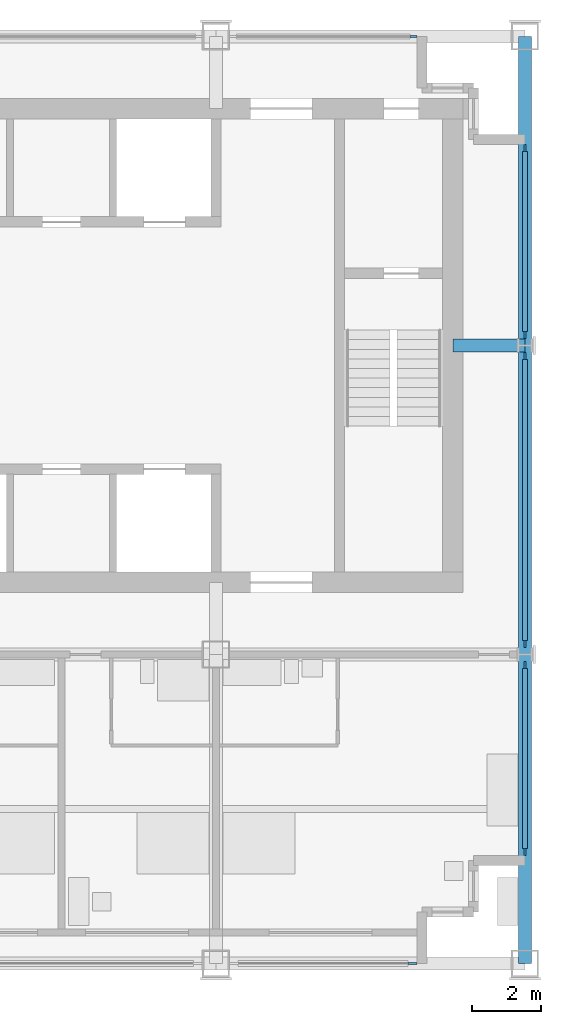
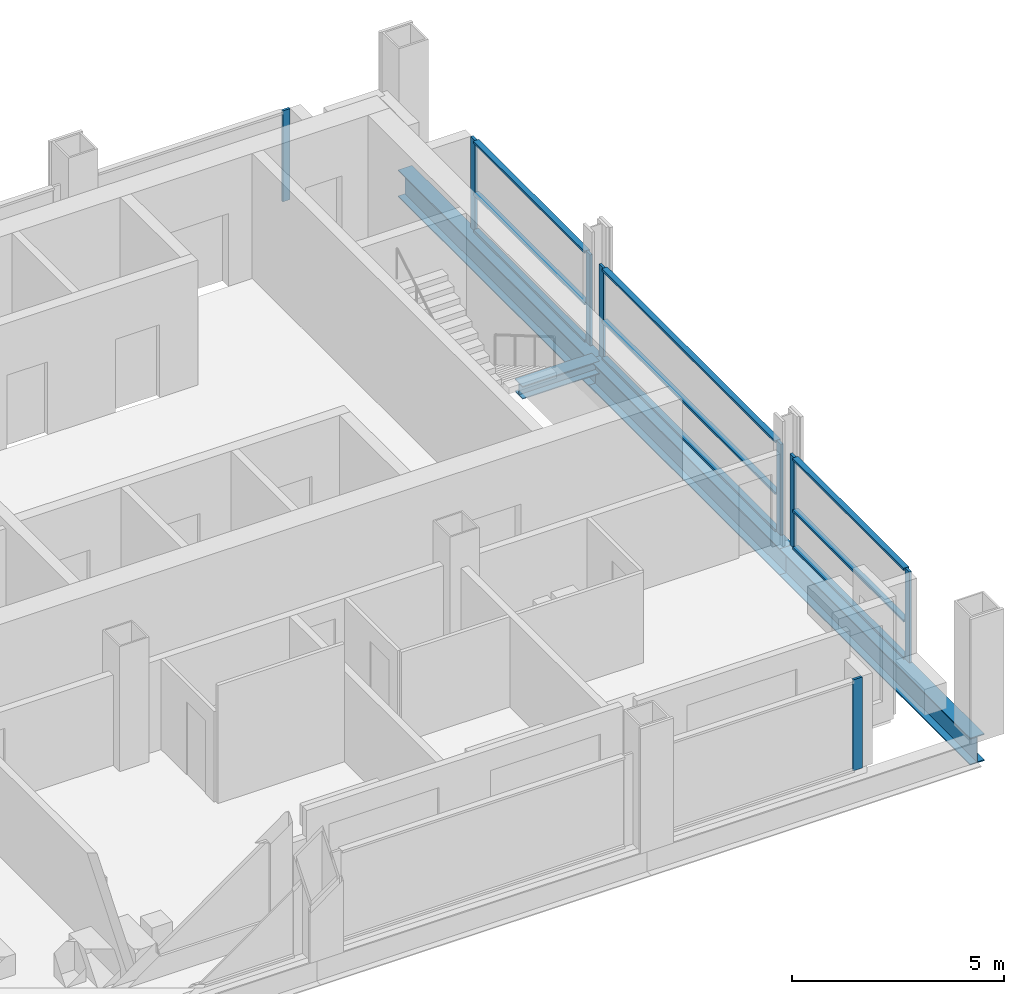
# One storey, part 4 of 12: 18 members, 3 beams, 5 elements without a shape of their own.
"""IFC4 building model written with IfcOpenShell, lengths in metres."""

from ifc_helpers import new_model, si_unit, direction, frame, origin, origin_2d, place, context, subcontext, project, spatial, rectangle, i_section, extrude, material, material_profile, profile_set, type_object, element, aggregate, save


model = new_model("IFC4")

# Units and contexts
model_context = context("Model", 3, precision=1e-05, world=origin(), true_north=direction((0.0, 1.0)))
body_context = subcontext(model_context, "Body", "Model", "MODEL_VIEW")
ifc_project = project(units=[si_unit("LENGTHUNIT", "METRE"), si_unit("AREAUNIT", "SQUARE_METRE"), si_unit("VOLUMEUNIT", "CUBIC_METRE"), si_unit("PLANEANGLEUNIT", "RADIAN"), si_unit("MASSUNIT", "GRAM", prefix="KILO")], contexts=[model_context])

# Site, building, storey
site_placement = place(None, origin())
site = spatial("IfcSite", under=ifc_project, at=site_placement, CompositionType="ELEMENT")
building_placement = place(site_placement, origin())
building = spatial("IfcBuilding", under=site, at=building_placement, Name="Loomwork Tower", CompositionType="ELEMENT")
storey_placement = place(building_placement, frame((0.0, 0.0, 237.39990234375)))
storey = spatial("IfcBuildingStorey", under=building, at=storey_placement, Name="L65", CompositionType="ELEMENT", Elevation=237.39990234375)

# Member
ifc_material_1 = material(Name="Steel ASTM A992", Category="steel")
ifc_material_profile_1 = material_profile(ifc_material_1, i_section(OverallWidth=0.373291015625, OverallDepth=0.373291015625, WebThickness=0.016357421875, FlangeThickness=0.026123046875, at=origin_2d()), Name="W14x132")
ifc_profile_set_1 = profile_set([ifc_material_profile_1], Name="Steel ASTM A992")
member_type_1 = type_object("IfcMemberType", Name="CORE LINK STRUT W14x132", PredefinedType="STRUT", material=ifc_profile_set_1)
member_1_placement = place(storey_placement, frame((36.0, 18.0, -0.386474609375), z_axis=(-1.0, 0.0, 0.0), x_axis=(0.0, -1.0, 0.0)))
element("IfcMember", 1, at=member_1_placement, inside=storey, type_object=member_type_1, Name="Core link strut F/6-33.900,18.000 L65", PredefinedType="STRUT", context=body_context, shape_type="SweptSolid", body=[
    extrude(i_section(OverallWidth=0.373291015625, OverallDepth=0.373291015625, WebThickness=0.016357421875, FlangeThickness=0.026123046875, at=origin_2d()), origin(), (0.0, 0.0, 1.0), 2.10009765625),
])

# Curtain wall, member
ifc_material_2 = material(Name="Aluminium curtain wall frame", Category="aluminium")
curtain_wall_type_1 = type_object("IfcCurtainWallType", Name="Outer skin glazing suites", PredefinedType="NOTDEFINED", material=ifc_material_2)
curtain_wall_1_placement = place(storey_placement, origin())
curtain_wall_1 = element("IfcCurtainWall", 2, at=curtain_wall_1_placement, inside=storey, type_object=curtain_wall_type_1, Name="Outer skin glazing suites cw/S-27", PredefinedType="NOTDEFINED")
ifc_material_3 = material(Name="Aluminium curtain wall frame", Category="aluminium")
ifc_material_profile_2 = material_profile(ifc_material_3, rectangle(XDim=0.06494140625, YDim=0.25, at=origin_2d()), Name="AL 65x250")
ifc_profile_set_2 = profile_set([ifc_material_profile_2], Name="Aluminium curtain wall frame")
member_type_2 = type_object("IfcMemberType", Name="Outer skin glazing suites mullion", PredefinedType="MULLION", material=ifc_profile_set_2)
member_2_placement = place(storey_placement, frame((32.72509765625, 0.0, 0.0), z_axis=(0.0, 0.0, 1.0), x_axis=(0.0, 1.0, 0.0)))
member_2 = element("IfcMember", 3, at=member_2_placement, type_object=member_type_2, Name="CW2 mullion 2", PredefinedType="MULLION", context=body_context, shape_type="SweptSolid", body=[
    extrude(rectangle(XDim=0.06494140625, YDim=0.25, at=origin_2d()), origin(), (0.0, 0.0, 1.0), 2.620361328125),
])
aggregate(curtain_wall_1, [member_2])

# Beams
ifc_material_4 = material(Name="Steel ASTM A992", Category="steel")
ifc_material_profile_3 = material_profile(ifc_material_4, i_section(OverallWidth=0.381103515625, OverallDepth=0.77978515625, WebThickness=0.01806640625, FlangeThickness=0.0302734375, at=origin_2d()), Name="W30x191")
ifc_profile_set_3 = profile_set([ifc_material_profile_3], Name="Steel ASTM A992")
beam_type = type_object("IfcBeamType", Name="SPANDREL GIRDER W30x191", PredefinedType="SPANDREL", material=ifc_profile_set_3)
for number, where, z_axis, x_axis, name in (
    (4, (36.0, 0.0, -0.58984375), (0.0, 1.0, 0.0), (-1.0, 0.0, 0.0), "Spandrel Girder D/6-E/6 L65"),
    (5, (36.0, 9.0, -0.58984375), (0.0, 1.0, 0.0), (-1.0, 0.0, 0.0), "Spandrel Girder E/6-F/6 L65"),
    (6, (36.0, 18.0, -0.58984375), (0.0, 1.0, 0.0), (-1.0, 0.0, 0.0), "Spandrel Girder F/6-G/6 L65"),
):
    element("IfcBeam", number, at=place(storey_placement, frame(where, z_axis=z_axis, x_axis=x_axis)), inside=storey, type_object=beam_type, Name=name, PredefinedType="SPANDREL", context=body_context, shape_type="SweptSolid", body=[
        extrude(i_section(OverallWidth=0.381103515625, OverallDepth=0.77978515625, WebThickness=0.01806640625, FlangeThickness=0.0302734375, at=origin_2d()), origin(), (0.0, 0.0, 1.0), 9.0),
    ])

# Curtain wall, member
ifc_material_5 = material(Name="Aluminium curtain wall frame", Category="aluminium")
curtain_wall_type_2 = type_object("IfcCurtainWallType", Name="Single skin glazing corridor", PredefinedType="NOTDEFINED", material=ifc_material_5)
curtain_wall_2_placement = place(storey_placement, origin())
curtain_wall_2 = element("IfcCurtainWall", 7, at=curtain_wall_2_placement, inside=storey, type_object=curtain_wall_type_2, Name="Single skin glazing corridor cw/N-27", PredefinedType="NOTDEFINED")
ifc_material_6 = material(Name="Aluminium curtain wall frame", Category="aluminium")
ifc_material_profile_4 = material_profile(ifc_material_6, rectangle(XDim=0.06494140625, YDim=0.199951171875, at=origin_2d()), Name="AL 65x200")
ifc_profile_set_4 = profile_set([ifc_material_profile_4], Name="Aluminium curtain wall frame")
member_type_3 = type_object("IfcMemberType", Name="Single skin glazing corridor mullion", PredefinedType="MULLION", material=ifc_profile_set_4)
member_3_placement = place(storey_placement, frame((32.75, 27.0, 0.0), z_axis=(0.0, 0.0, 1.0), x_axis=(0.0, -1.0, 0.0)))
member_3 = element("IfcMember", 8, at=member_3_placement, type_object=member_type_3, Name="CW3 mullion 1", PredefinedType="MULLION", context=body_context, shape_type="SweptSolid", body=[
    extrude(rectangle(XDim=0.06494140625, YDim=0.199951171875, at=origin_2d()), origin(), (0.0, 0.0, 1.0), 2.620361328125),
])
aggregate(curtain_wall_2, [member_3])

# Curtain wall, members
curtain_wall_3_placement = place(storey_placement, origin())
curtain_wall_3 = element("IfcCurtainWall", 9, at=curtain_wall_3_placement, inside=storey, type_object=curtain_wall_type_2, Name="Single skin glazing corridor cw/E-0", PredefinedType="NOTDEFINED")
member_4_placement = place(storey_placement, frame((36.0, 3.25, 0.0), z_axis=(0.0, 0.0, 1.0), x_axis=(-1.0, 0.0, 0.0)))
member_4 = element("IfcMember", 10, at=member_4_placement, type_object=member_type_3, Name="CW3 mullion 1", PredefinedType="MULLION", context=body_context, shape_type="SweptSolid", body=[
    extrude(rectangle(XDim=0.06494140625, YDim=0.199951171875, at=origin_2d()), origin(), (0.0, 0.0, 1.0), 2.620361328125),
])
member_5_placement = place(storey_placement, frame((36.0, 8.689208984375, 0.0), z_axis=(0.0, 0.0, 1.0), x_axis=(-1.0, 0.0, 0.0)))
member_5 = element("IfcMember", 11, at=member_5_placement, type_object=member_type_3, Name="CW3 mullion 2", PredefinedType="MULLION", context=body_context, shape_type="SweptSolid", body=[
    extrude(rectangle(XDim=0.06494140625, YDim=0.199951171875, at=origin_2d()), origin(), (0.0, 0.0, 1.0), 2.620361328125),
])

curtain_wall_4_placement = place(storey_placement, origin())
curtain_wall_4 = element("IfcCurtainWall", 12, at=curtain_wall_4_placement, inside=storey, type_object=curtain_wall_type_2, Name="Single skin glazing corridor cw/E-9", PredefinedType="NOTDEFINED")
member_6_placement = place(storey_placement, frame((36.0, 9.310791015625, 0.0), z_axis=(0.0, 0.0, 1.0), x_axis=(-1.0, 0.0, 0.0)))
member_6 = element("IfcMember", 13, at=member_6_placement, type_object=member_type_3, Name="CW3 mullion 1", PredefinedType="MULLION", context=body_context, shape_type="SweptSolid", body=[
    extrude(rectangle(XDim=0.06494140625, YDim=0.199951171875, at=origin_2d()), origin(), (0.0, 0.0, 1.0), 2.620361328125),
])
member_7_placement = place(storey_placement, frame((36.0, 17.689208984375, 0.0), z_axis=(0.0, 0.0, 1.0), x_axis=(-1.0, 0.0, 0.0)))
member_7 = element("IfcMember", 14, at=member_7_placement, type_object=member_type_3, Name="CW3 mullion 2", PredefinedType="MULLION", context=body_context, shape_type="SweptSolid", body=[
    extrude(rectangle(XDim=0.06494140625, YDim=0.199951171875, at=origin_2d()), origin(), (0.0, 0.0, 1.0), 2.620361328125),
])

curtain_wall_5_placement = place(storey_placement, origin())
curtain_wall_5 = element("IfcCurtainWall", 15, at=curtain_wall_5_placement, inside=storey, type_object=curtain_wall_type_2, Name="Single skin glazing corridor cw/E-18", PredefinedType="NOTDEFINED")
member_8_placement = place(storey_placement, frame((36.0, 18.310791015625, 0.0), z_axis=(0.0, 0.0, 1.0), x_axis=(-1.0, 0.0, 0.0)))
member_8 = element("IfcMember", 16, at=member_8_placement, type_object=member_type_3, Name="CW3 mullion 1", PredefinedType="MULLION", context=body_context, shape_type="SweptSolid", body=[
    extrude(rectangle(XDim=0.06494140625, YDim=0.199951171875, at=origin_2d()), origin(), (0.0, 0.0, 1.0), 2.620361328125),
])
member_9_placement = place(storey_placement, frame((36.0, 23.75, 0.0), z_axis=(0.0, 0.0, 1.0), x_axis=(-1.0, 0.0, 0.0)))
member_9 = element("IfcMember", 17, at=member_9_placement, type_object=member_type_3, Name="CW3 mullion 2", PredefinedType="MULLION", context=body_context, shape_type="SweptSolid", body=[
    extrude(rectangle(XDim=0.06494140625, YDim=0.199951171875, at=origin_2d()), origin(), (0.0, 0.0, 1.0), 2.620361328125),
])

# Member
ifc_material_7 = material(Name="Aluminium curtain wall frame", Category="aluminium")
ifc_material_profile_5 = material_profile(ifc_material_7, rectangle(XDim=0.14990234375, YDim=0.06494140625, at=origin_2d()), Name="AL 65x150")
ifc_profile_set_5 = profile_set([ifc_material_profile_5], Name="Aluminium curtain wall frame")
member_type_4 = type_object("IfcMemberType", Name="Single skin glazing corridor transom", PredefinedType="USERDEFINED", material=ifc_profile_set_5)
member_10_placement = place(storey_placement, frame((36.0, 3.35009765625, 0.03271484375), z_axis=(0.0, 1.0, 0.0), x_axis=(-1.0, 0.0, 0.0)))
member_10 = element("IfcMember", 18, at=member_10_placement, type_object=member_type_4, Name="CW3 transom 1.1", ObjectType="TRANSOM", PredefinedType="USERDEFINED", context=body_context, shape_type="SweptSolid", body=[
    extrude(rectangle(XDim=0.14990234375, YDim=0.06494140625, at=origin_2d()), origin(), (0.0, 0.0, 1.0), 5.239013671875),
])

member_11_placement = place(storey_placement, frame((36.0, 3.35009765625, 1.10009765625), z_axis=(0.0, 1.0, 0.0), x_axis=(-1.0, 0.0, 0.0)))
member_11 = element("IfcMember", 19, at=member_11_placement, type_object=member_type_4, Name="CW3 transom 1.2", ObjectType="TRANSOM", PredefinedType="USERDEFINED", context=body_context, shape_type="SweptSolid", body=[
    extrude(rectangle(XDim=0.14990234375, YDim=0.06494140625, at=origin_2d()), origin(), (0.0, 0.0, 1.0), 5.239013671875),
])

member_12_placement = place(storey_placement, frame((36.0, 3.35009765625, 2.587890625), z_axis=(0.0, 1.0, 0.0), x_axis=(-1.0, 0.0, 0.0)))
member_12 = element("IfcMember", 20, at=member_12_placement, type_object=member_type_4, Name="CW3 transom 1.3", ObjectType="TRANSOM", PredefinedType="USERDEFINED", context=body_context, shape_type="SweptSolid", body=[
    extrude(rectangle(XDim=0.14990234375, YDim=0.06494140625, at=origin_2d()), origin(), (0.0, 0.0, 1.0), 5.239013671875),
])

aggregate(curtain_wall_3, [member_4, member_5, member_10, member_11, member_12])

member_13_placement = place(storey_placement, frame((36.0, 9.410888671875, 0.03271484375), z_axis=(0.0, 1.0, 0.0), x_axis=(-1.0, 0.0, 0.0)))
member_13 = element("IfcMember", 21, at=member_13_placement, type_object=member_type_4, Name="CW3 transom 1.1", ObjectType="TRANSOM", PredefinedType="USERDEFINED", context=body_context, shape_type="SweptSolid", body=[
    extrude(rectangle(XDim=0.14990234375, YDim=0.06494140625, at=origin_2d()), origin(), (0.0, 0.0, 1.0), 8.17822265625),
])

member_14_placement = place(storey_placement, frame((36.0, 9.410888671875, 1.10009765625), z_axis=(0.0, 1.0, 0.0), x_axis=(-1.0, 0.0, 0.0)))
member_14 = element("IfcMember", 22, at=member_14_placement, type_object=member_type_4, Name="CW3 transom 1.2", ObjectType="TRANSOM", PredefinedType="USERDEFINED", context=body_context, shape_type="SweptSolid", body=[
    extrude(rectangle(XDim=0.14990234375, YDim=0.06494140625, at=origin_2d()), origin(), (0.0, 0.0, 1.0), 8.17822265625),
])

member_15_placement = place(storey_placement, frame((36.0, 9.410888671875, 2.587890625), z_axis=(0.0, 1.0, 0.0), x_axis=(-1.0, 0.0, 0.0)))
member_15 = element("IfcMember", 23, at=member_15_placement, type_object=member_type_4, Name="CW3 transom 1.3", ObjectType="TRANSOM", PredefinedType="USERDEFINED", context=body_context, shape_type="SweptSolid", body=[
    extrude(rectangle(XDim=0.14990234375, YDim=0.06494140625, at=origin_2d()), origin(), (0.0, 0.0, 1.0), 8.17822265625),
])

aggregate(curtain_wall_4, [member_6, member_7, member_13, member_14, member_15])

member_16_placement = place(storey_placement, frame((36.0, 18.410888671875, 0.03271484375), z_axis=(0.0, 1.0, 0.0), x_axis=(-1.0, 0.0, 0.0)))
member_16 = element("IfcMember", 24, at=member_16_placement, type_object=member_type_4, Name="CW3 transom 1.1", ObjectType="TRANSOM", PredefinedType="USERDEFINED", context=body_context, shape_type="SweptSolid", body=[
    extrude(rectangle(XDim=0.14990234375, YDim=0.06494140625, at=origin_2d()), origin(), (0.0, 0.0, 1.0), 5.239013671875),
])

member_17_placement = place(storey_placement, frame((36.0, 18.410888671875, 1.10009765625), z_axis=(0.0, 1.0, 0.0), x_axis=(-1.0, 0.0, 0.0)))
member_17 = element("IfcMember", 25, at=member_17_placement, type_object=member_type_4, Name="CW3 transom 1.2", ObjectType="TRANSOM", PredefinedType="USERDEFINED", context=body_context, shape_type="SweptSolid", body=[
    extrude(rectangle(XDim=0.14990234375, YDim=0.06494140625, at=origin_2d()), origin(), (0.0, 0.0, 1.0), 5.239013671875),
])

member_18_placement = place(storey_placement, frame((36.0, 18.410888671875, 2.587890625), z_axis=(0.0, 1.0, 0.0), x_axis=(-1.0, 0.0, 0.0)))
member_18 = element("IfcMember", 26, at=member_18_placement, type_object=member_type_4, Name="CW3 transom 1.3", ObjectType="TRANSOM", PredefinedType="USERDEFINED", context=body_context, shape_type="SweptSolid", body=[
    extrude(rectangle(XDim=0.14990234375, YDim=0.06494140625, at=origin_2d()), origin(), (0.0, 0.0, 1.0), 5.239013671875),
])

aggregate(curtain_wall_5, [member_8, member_9, member_16, member_17, member_18])

save(model, "model.ifc")
